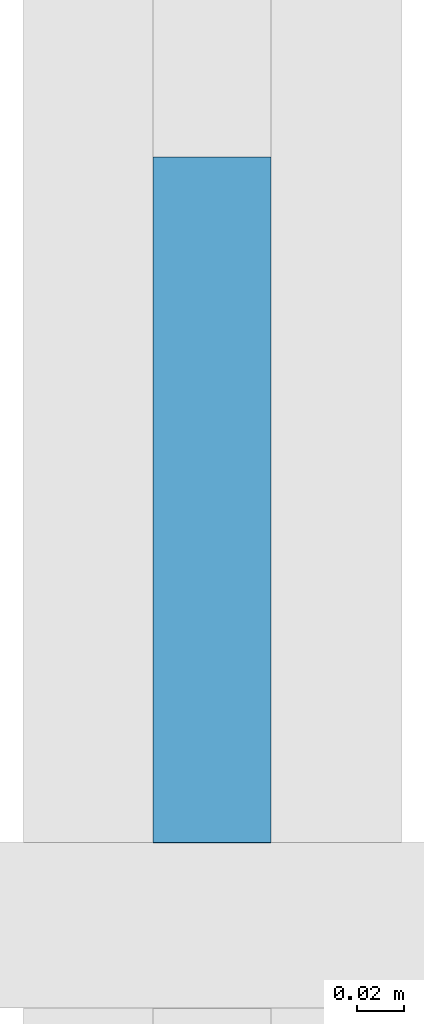
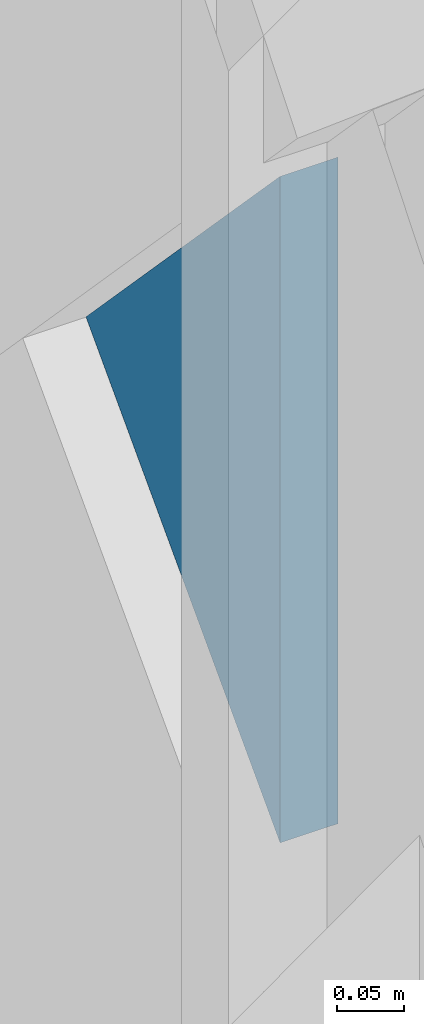
# One storey, part 12 of 17: 1 plate, 1 element without a shape of its own.
"""IFC4 building model written with IfcOpenShell, lengths in metres."""

from ifc_helpers import new_model, si_unit, direction, frame, origin, place, context, subcontext, project, spatial, polyline, outline, extrude, material, layer, layer_set, type_object, element, aggregate, save


model = new_model("IFC4")

# Units and contexts
model_context = context("Model", 3, precision=1e-05, world=origin(), true_north=direction((0.0, 1.0)))
body_context = subcontext(model_context, "Body", "Model", "MODEL_VIEW")
ifc_project = project(units=[si_unit("LENGTHUNIT", "METRE"), si_unit("AREAUNIT", "SQUARE_METRE"), si_unit("VOLUMEUNIT", "CUBIC_METRE"), si_unit("PLANEANGLEUNIT", "RADIAN"), si_unit("MASSUNIT", "GRAM", prefix="KILO")], contexts=[model_context])

# Site, building, storey
site_placement = place(None, origin())
site = spatial("IfcSite", under=ifc_project, at=site_placement, CompositionType="ELEMENT")
building_placement = place(site_placement, origin())
building = spatial("IfcBuilding", under=site, at=building_placement, Name="Rheinbord Bourse Tower", CompositionType="ELEMENT")
storey_placement = place(building_placement, frame((0.0, 0.0, 129.89990234375)))
storey = spatial("IfcBuildingStorey", under=building, at=storey_placement, Name="L28", CompositionType="ELEMENT", Elevation=129.89990234375)

# Curtain wall, plate
ifc_material_1 = material(Name="Dark glass and black aluminium", Category="aluminium")
curtain_wall_type = type_object("IfcCurtainWallType", Name="CW2 DARK GLASS CURTAIN WALL", PredefinedType="USERDEFINED", material=ifc_material_1)
curtain_wall_placement = place(storey_placement, origin())
curtain_wall = element("IfcCurtainWall", 1, at=curtain_wall_placement, inside=storey, type_object=curtain_wall_type, Name="Curtain wall CW2 E L28", ObjectType="UNITISED CURTAIN WALL", PredefinedType="USERDEFINED")
ifc_material_2 = material(Name="Dark tinted triple insulating glass", Category="glass")
ifc_layer = layer(ifc_material_2, 0.050048828125)
ifc_layer_set = layer_set([ifc_layer], Name="CW2 DARK GLASS PANEL")
plate_type = type_object("IfcPlateType", Name="CW2 DARK GLASS PANEL", PredefinedType="CURTAIN_PANEL", material=ifc_layer_set)
plate_placement = place(storey_placement, frame((72.625, 12.875, 2.404052734375), z_axis=(-1.0, 0.0, 0.0), x_axis=(0.0, 0.690351348843, -0.723474267096)))
plate = element("IfcPlate", 2, at=plate_placement, type_object=plate_type, Name="CW2 glass facet 1", PredefinedType="CURTAIN_PANEL", context=body_context, shape_type="SweptSolid", body=[
    extrude(outline(polyline([(0.0, 0.0), (0.420166015625, 0.0), (0.439697265625, 0.419677734375), (0.0, 0.0)])), origin(), (0.0, 0.0, 1.0), 0.050048828125),
])
aggregate(curtain_wall, [plate])

save(model, "model.ifc")
